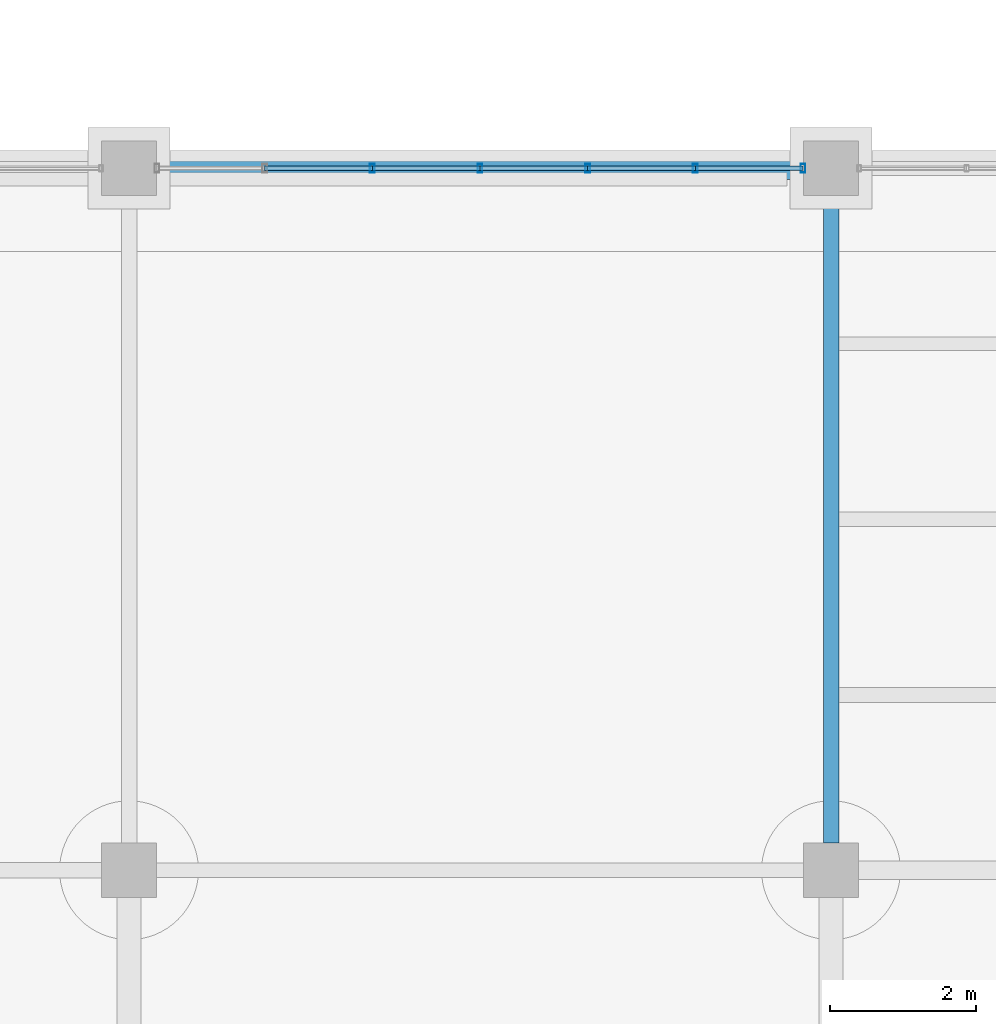
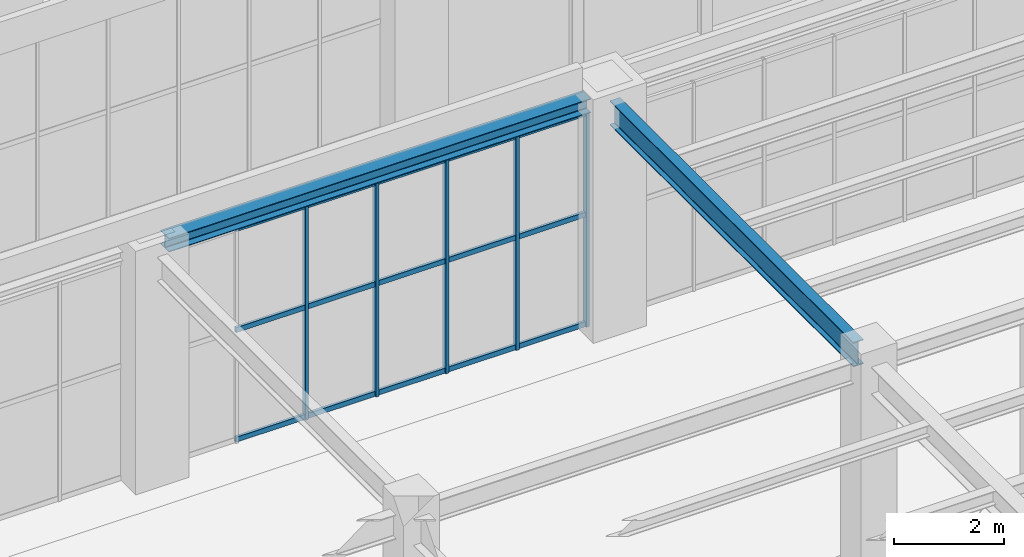
# One storey, part 50 of 164: 20 members, 2 beams, 1 element without a shape of its own.
"""IFC4 building model written with IfcOpenShell, lengths in metres."""

from ifc_helpers import new_model, si_unit, direction, frame, origin, origin_2d, place, context, subcontext, project, spatial, hollow_rectangle, i_section, extrude, material, material_profile, profile_set, type_object, element, aggregate, save


model = new_model("IFC4")

# Units and contexts
model_context = context("Model", 3, precision=1e-05, world=origin(), true_north=direction((0.0, 1.0)))
body_context = subcontext(model_context, "Body", "Model", "MODEL_VIEW")
ifc_project = project(units=[si_unit("LENGTHUNIT", "METRE"), si_unit("AREAUNIT", "SQUARE_METRE"), si_unit("VOLUMEUNIT", "CUBIC_METRE"), si_unit("PLANEANGLEUNIT", "RADIAN"), si_unit("MASSUNIT", "GRAM", prefix="KILO")], contexts=[model_context])

# Site, building, storey
site_placement = place(None, origin())
site = spatial("IfcSite", under=ifc_project, at=site_placement, CompositionType="ELEMENT")
building_placement = place(site_placement, origin())
building = spatial("IfcBuilding", under=site, at=building_placement, Name="Mavantir Sound Aquarium", CompositionType="ELEMENT")
storey_placement = place(building_placement, origin())
storey = spatial("IfcBuildingStorey", under=building, at=storey_placement, Name="L00", CompositionType="ELEMENT", Elevation=0.0)

# Beams
ifc_material_1 = material(Name="Structural Steel ASTM A992 Gr50", Category="steel")
ifc_material_profile_1 = material_profile(ifc_material_1, i_section(OverallWidth=0.304931640625, OverallDepth=0.30810546875, WebThickness=0.010009765625, FlangeThickness=0.015380859375, FilletRadius=0.014892578125, at=origin_2d()), Name="W310X97")
ifc_profile_set_1 = profile_set([ifc_material_profile_1], Name="Structural Steel ASTM A992 Gr50")
beam_type_1 = type_object("IfcBeamType", Name="BM-W310X97-E", PredefinedType="SPANDREL", material=ifc_profile_set_1)
beam_1_placement = place(storey_placement, frame((117.97509765625, 28.800048828125, 4.9619140625), z_axis=(1.0, 0.0, 0.0), x_axis=(0.0, 1.0, 0.0)))
element("IfcBeam", 1, at=beam_1_placement, inside=storey, type_object=beam_type_1, Name="L00 primary beam SS-31A 1083", PredefinedType="SPANDREL", context=body_context, shape_type="SweptSolid", body=[
    extrude(i_section(OverallWidth=0.304931640625, OverallDepth=0.30810546875, WebThickness=0.010009765625, FlangeThickness=0.015380859375, FilletRadius=0.014892578125, at=origin_2d()), origin(), (0.0, 0.0, 1.0), 8.849853515625),
])
ifc_material_profile_2 = material_profile(ifc_material_1, i_section(OverallWidth=0.2119140625, OverallDepth=0.5439453125, WebThickness=0.01318359375, FlangeThickness=0.021240234375, FilletRadius=0.01806640625, at=origin_2d()), Name="W530X123")
ifc_profile_set_2 = profile_set([ifc_material_profile_2], Name="Structural Steel ASTM A992 Gr50")
beam_type_2 = type_object("IfcBeamType", Name="BM-W530X123-I", PredefinedType="BEAM", material=ifc_profile_set_2)
beam_2_placement = place(storey_placement, frame((127.199951171875, 19.574951171875, 4.843994140625), z_axis=(0.0, 1.0, 0.0), x_axis=(-1.0, 0.0, 0.0)))
element("IfcBeam", 2, at=beam_2_placement, inside=storey, type_object=beam_type_2, Name="L00 primary girder SB-53 1094", PredefinedType="BEAM", context=body_context, shape_type="SweptSolid", body=[
    extrude(i_section(OverallWidth=0.2119140625, OverallDepth=0.5439453125, WebThickness=0.01318359375, FlangeThickness=0.021240234375, FilletRadius=0.01806640625, at=origin_2d()), origin(), (0.0, 0.0, 1.0), 8.85009765625),
])

# Curtain wall, members
ifc_material_2 = material(Name="Anodised Marine Aluminium and Low-E Glass", Category="aluminium")
curtain_wall_type = type_object("IfcCurtainWallType", Name="CW-T04", PredefinedType="USERDEFINED", material=ifc_material_2)
curtain_wall_placement = place(storey_placement, origin())
curtain_wall = element("IfcCurtainWall", 3, at=curtain_wall_placement, inside=storey, type_object=curtain_wall_type, Name="L00 unitised curtain wall CW-04 52", ObjectType="UNITISED GLAZING", PredefinedType="USERDEFINED")
ifc_material_3 = material(Name="Anodised Marine Aluminium 6063-T6", Category="aluminium")
ifc_material_profile_3 = material_profile(ifc_material_3, hollow_rectangle(XDim=0.06494140625, YDim=0.1201171875, WallThickness=0.00390625, at=origin_2d()), Name="ALU-MULLION-120X65")
ifc_profile_set_3 = profile_set([ifc_material_profile_3], Name="Anodised Marine Aluminium 6063-T6")
member_type_1 = type_object("IfcMemberType", Name="CW-MUL-120", PredefinedType="MULLION", material=ifc_profile_set_3)
member_1_placement = place(storey_placement, frame((126.81689453125, 28.800048828125, 0.0), z_axis=(0.0, 0.0, 1.0), x_axis=(1.0, 0.0, 0.0)))
member_1 = element("IfcMember", 4, at=member_1_placement, type_object=member_type_1, Name="CW-L00-052 vertical mullion 1", PredefinedType="MULLION", context=body_context, shape_type="SweptSolid", body=[
    extrude(hollow_rectangle(XDim=0.06494140625, YDim=0.1201171875, WallThickness=0.00390625, at=origin_2d()), origin(), (0.0, 0.0, 1.0), 4.778076171875),
])
member_2_placement = place(storey_placement, frame((125.3447265625, 28.800048828125, 0.0), z_axis=(0.0, 0.0, 1.0), x_axis=(1.0, 0.0, 0.0)))
member_2 = element("IfcMember", 5, at=member_2_placement, type_object=member_type_1, Name="CW-L00-052 vertical mullion 2", PredefinedType="MULLION", context=body_context, shape_type="SweptSolid", body=[
    extrude(hollow_rectangle(XDim=0.06494140625, YDim=0.1201171875, WallThickness=0.00390625, at=origin_2d()), origin(), (0.0, 0.0, 1.0), 4.778076171875),
])
member_3_placement = place(storey_placement, frame((123.872314453125, 28.800048828125, 0.0), z_axis=(0.0, 0.0, 1.0), x_axis=(1.0, 0.0, 0.0)))
member_3 = element("IfcMember", 6, at=member_3_placement, type_object=member_type_1, Name="CW-L00-052 vertical mullion 3", PredefinedType="MULLION", context=body_context, shape_type="SweptSolid", body=[
    extrude(hollow_rectangle(XDim=0.06494140625, YDim=0.1201171875, WallThickness=0.00390625, at=origin_2d()), origin(), (0.0, 0.0, 1.0), 4.778076171875),
])
member_4_placement = place(storey_placement, frame((122.39990234375, 28.800048828125, 0.0), z_axis=(0.0, 0.0, 1.0), x_axis=(1.0, 0.0, 0.0)))
member_4 = element("IfcMember", 7, at=member_4_placement, type_object=member_type_1, Name="CW-L00-052 vertical mullion 4", PredefinedType="MULLION", context=body_context, shape_type="SweptSolid", body=[
    extrude(hollow_rectangle(XDim=0.06494140625, YDim=0.1201171875, WallThickness=0.00390625, at=origin_2d()), origin(), (0.0, 0.0, 1.0), 4.778076171875),
])
member_5_placement = place(storey_placement, frame((120.927734375, 28.800048828125, 0.0), z_axis=(0.0, 0.0, 1.0), x_axis=(1.0, 0.0, 0.0)))
member_5 = element("IfcMember", 8, at=member_5_placement, type_object=member_type_1, Name="CW-L00-052 vertical mullion 5", PredefinedType="MULLION", context=body_context, shape_type="SweptSolid", body=[
    extrude(hollow_rectangle(XDim=0.06494140625, YDim=0.1201171875, WallThickness=0.00390625, at=origin_2d()), origin(), (0.0, 0.0, 1.0), 4.778076171875),
])
ifc_material_profile_4 = material_profile(ifc_material_3, hollow_rectangle(XDim=0.06005859375, YDim=0.110107421875, WallThickness=0.00390625, at=origin_2d()), Name="ALU-TRANSOM-110X60")
ifc_profile_set_4 = profile_set([ifc_material_profile_4], Name="Anodised Marine Aluminium 6063-T6")
member_type_2 = type_object("IfcMemberType", Name="CW-TRN-110", PredefinedType="USERDEFINED", material=ifc_profile_set_4)
member_6_placement = place(storey_placement, frame((126.81689453125, 28.800048828125, 0.054931640625), z_axis=(-1.0, 0.0, 0.0), x_axis=(0.0, -1.0, 0.0)))
member_6 = element("IfcMember", 9, at=member_6_placement, type_object=member_type_2, Name="CW-L00-052 transom 1.1", ObjectType="TRANSOM", PredefinedType="USERDEFINED", context=body_context, shape_type="SweptSolid", body=[
    extrude(hollow_rectangle(XDim=0.06005859375, YDim=0.110107421875, WallThickness=0.00390625, at=origin_2d()), origin(), (0.0, 0.0, 1.0), 1.47216796875),
])
member_7_placement = place(storey_placement, frame((126.81689453125, 28.800048828125, 2.484619140625), z_axis=(-1.0, 0.0, 0.0), x_axis=(0.0, -1.0, 0.0)))
member_7 = element("IfcMember", 10, at=member_7_placement, type_object=member_type_2, Name="CW-L00-052 transom 1.2", ObjectType="TRANSOM", PredefinedType="USERDEFINED", context=body_context, shape_type="SweptSolid", body=[
    extrude(hollow_rectangle(XDim=0.06005859375, YDim=0.110107421875, WallThickness=0.00390625, at=origin_2d()), origin(), (0.0, 0.0, 1.0), 1.47216796875),
])
member_8_placement = place(storey_placement, frame((126.81689453125, 28.800048828125, 4.722900390625), z_axis=(-1.0, 0.0, 0.0), x_axis=(0.0, -1.0, 0.0)))
member_8 = element("IfcMember", 11, at=member_8_placement, type_object=member_type_2, Name="CW-L00-052 transom 1.3", ObjectType="TRANSOM", PredefinedType="USERDEFINED", context=body_context, shape_type="SweptSolid", body=[
    extrude(hollow_rectangle(XDim=0.06005859375, YDim=0.110107421875, WallThickness=0.00390625, at=origin_2d()), origin(), (0.0, 0.0, 1.0), 1.47216796875),
])
member_9_placement = place(storey_placement, frame((125.3447265625, 28.800048828125, 0.054931640625), z_axis=(-1.0, 0.0, 0.0), x_axis=(0.0, -1.0, 0.0)))
member_9 = element("IfcMember", 12, at=member_9_placement, type_object=member_type_2, Name="CW-L00-052 transom 2.1", ObjectType="TRANSOM", PredefinedType="USERDEFINED", context=body_context, shape_type="SweptSolid", body=[
    extrude(hollow_rectangle(XDim=0.06005859375, YDim=0.110107421875, WallThickness=0.00390625, at=origin_2d()), origin(), (0.0, 0.0, 1.0), 1.472412109375),
])
member_10_placement = place(storey_placement, frame((125.3447265625, 28.800048828125, 2.484619140625), z_axis=(-1.0, 0.0, 0.0), x_axis=(0.0, -1.0, 0.0)))
member_10 = element("IfcMember", 13, at=member_10_placement, type_object=member_type_2, Name="CW-L00-052 transom 2.2", ObjectType="TRANSOM", PredefinedType="USERDEFINED", context=body_context, shape_type="SweptSolid", body=[
    extrude(hollow_rectangle(XDim=0.06005859375, YDim=0.110107421875, WallThickness=0.00390625, at=origin_2d()), origin(), (0.0, 0.0, 1.0), 1.472412109375),
])
member_11_placement = place(storey_placement, frame((125.3447265625, 28.800048828125, 4.722900390625), z_axis=(-1.0, 0.0, 0.0), x_axis=(0.0, -1.0, 0.0)))
member_11 = element("IfcMember", 14, at=member_11_placement, type_object=member_type_2, Name="CW-L00-052 transom 2.3", ObjectType="TRANSOM", PredefinedType="USERDEFINED", context=body_context, shape_type="SweptSolid", body=[
    extrude(hollow_rectangle(XDim=0.06005859375, YDim=0.110107421875, WallThickness=0.00390625, at=origin_2d()), origin(), (0.0, 0.0, 1.0), 1.472412109375),
])
member_12_placement = place(storey_placement, frame((123.872314453125, 28.800048828125, 0.054931640625), z_axis=(-1.0, 0.0, 0.0), x_axis=(0.0, -1.0, 0.0)))
member_12 = element("IfcMember", 15, at=member_12_placement, type_object=member_type_2, Name="CW-L00-052 transom 3.1", ObjectType="TRANSOM", PredefinedType="USERDEFINED", context=body_context, shape_type="SweptSolid", body=[
    extrude(hollow_rectangle(XDim=0.06005859375, YDim=0.110107421875, WallThickness=0.00390625, at=origin_2d()), origin(), (0.0, 0.0, 1.0), 1.472412109375),
])
member_13_placement = place(storey_placement, frame((123.872314453125, 28.800048828125, 2.484619140625), z_axis=(-1.0, 0.0, 0.0), x_axis=(0.0, -1.0, 0.0)))
member_13 = element("IfcMember", 16, at=member_13_placement, type_object=member_type_2, Name="CW-L00-052 transom 3.2", ObjectType="TRANSOM", PredefinedType="USERDEFINED", context=body_context, shape_type="SweptSolid", body=[
    extrude(hollow_rectangle(XDim=0.06005859375, YDim=0.110107421875, WallThickness=0.00390625, at=origin_2d()), origin(), (0.0, 0.0, 1.0), 1.472412109375),
])
member_14_placement = place(storey_placement, frame((123.872314453125, 28.800048828125, 4.722900390625), z_axis=(-1.0, 0.0, 0.0), x_axis=(0.0, -1.0, 0.0)))
member_14 = element("IfcMember", 17, at=member_14_placement, type_object=member_type_2, Name="CW-L00-052 transom 3.3", ObjectType="TRANSOM", PredefinedType="USERDEFINED", context=body_context, shape_type="SweptSolid", body=[
    extrude(hollow_rectangle(XDim=0.06005859375, YDim=0.110107421875, WallThickness=0.00390625, at=origin_2d()), origin(), (0.0, 0.0, 1.0), 1.472412109375),
])
member_15_placement = place(storey_placement, frame((122.39990234375, 28.800048828125, 0.054931640625), z_axis=(-1.0, 0.0, 0.0), x_axis=(0.0, -1.0, 0.0)))
member_15 = element("IfcMember", 18, at=member_15_placement, type_object=member_type_2, Name="CW-L00-052 transom 4.1", ObjectType="TRANSOM", PredefinedType="USERDEFINED", context=body_context, shape_type="SweptSolid", body=[
    extrude(hollow_rectangle(XDim=0.06005859375, YDim=0.110107421875, WallThickness=0.00390625, at=origin_2d()), origin(), (0.0, 0.0, 1.0), 1.47216796875),
])
member_16_placement = place(storey_placement, frame((122.39990234375, 28.800048828125, 2.484619140625), z_axis=(-1.0, 0.0, 0.0), x_axis=(0.0, -1.0, 0.0)))
member_16 = element("IfcMember", 19, at=member_16_placement, type_object=member_type_2, Name="CW-L00-052 transom 4.2", ObjectType="TRANSOM", PredefinedType="USERDEFINED", context=body_context, shape_type="SweptSolid", body=[
    extrude(hollow_rectangle(XDim=0.06005859375, YDim=0.110107421875, WallThickness=0.00390625, at=origin_2d()), origin(), (0.0, 0.0, 1.0), 1.47216796875),
])
member_17_placement = place(storey_placement, frame((122.39990234375, 28.800048828125, 4.722900390625), z_axis=(-1.0, 0.0, 0.0), x_axis=(0.0, -1.0, 0.0)))
member_17 = element("IfcMember", 20, at=member_17_placement, type_object=member_type_2, Name="CW-L00-052 transom 4.3", ObjectType="TRANSOM", PredefinedType="USERDEFINED", context=body_context, shape_type="SweptSolid", body=[
    extrude(hollow_rectangle(XDim=0.06005859375, YDim=0.110107421875, WallThickness=0.00390625, at=origin_2d()), origin(), (0.0, 0.0, 1.0), 1.47216796875),
])
member_18_placement = place(storey_placement, frame((120.927734375, 28.800048828125, 0.054931640625), z_axis=(-1.0, 0.0, 0.0), x_axis=(0.0, -1.0, 0.0)))
member_18 = element("IfcMember", 21, at=member_18_placement, type_object=member_type_2, Name="CW-L00-052 transom 5.1", ObjectType="TRANSOM", PredefinedType="USERDEFINED", context=body_context, shape_type="SweptSolid", body=[
    extrude(hollow_rectangle(XDim=0.06005859375, YDim=0.110107421875, WallThickness=0.00390625, at=origin_2d()), origin(), (0.0, 0.0, 1.0), 1.472412109375),
])
member_19_placement = place(storey_placement, frame((120.927734375, 28.800048828125, 2.484619140625), z_axis=(-1.0, 0.0, 0.0), x_axis=(0.0, -1.0, 0.0)))
member_19 = element("IfcMember", 22, at=member_19_placement, type_object=member_type_2, Name="CW-L00-052 transom 5.2", ObjectType="TRANSOM", PredefinedType="USERDEFINED", context=body_context, shape_type="SweptSolid", body=[
    extrude(hollow_rectangle(XDim=0.06005859375, YDim=0.110107421875, WallThickness=0.00390625, at=origin_2d()), origin(), (0.0, 0.0, 1.0), 1.472412109375),
])
member_20_placement = place(storey_placement, frame((120.927734375, 28.800048828125, 4.722900390625), z_axis=(-1.0, 0.0, 0.0), x_axis=(0.0, -1.0, 0.0)))
member_20 = element("IfcMember", 23, at=member_20_placement, type_object=member_type_2, Name="CW-L00-052 transom 5.3", ObjectType="TRANSOM", PredefinedType="USERDEFINED", context=body_context, shape_type="SweptSolid", body=[
    extrude(hollow_rectangle(XDim=0.06005859375, YDim=0.110107421875, WallThickness=0.00390625, at=origin_2d()), origin(), (0.0, 0.0, 1.0), 1.472412109375),
])
aggregate(curtain_wall, [member_1, member_2, member_3, member_4, member_5, member_6, member_7, member_8, member_9, member_10, member_11, member_12, member_13, member_14, member_15, member_16, member_17, member_18, member_19, member_20])

save(model, "model.ifc")
